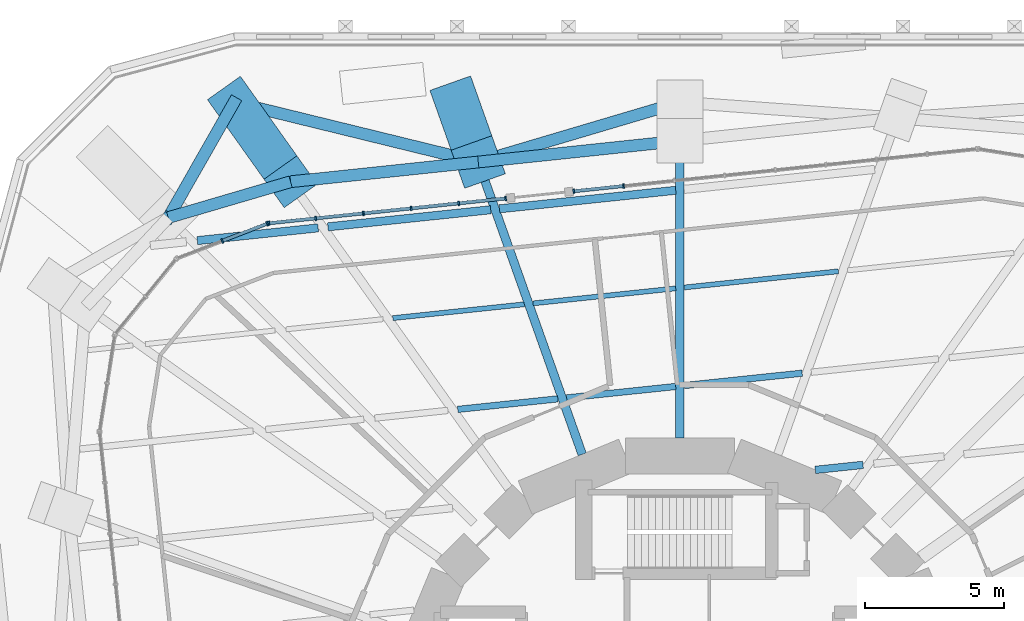
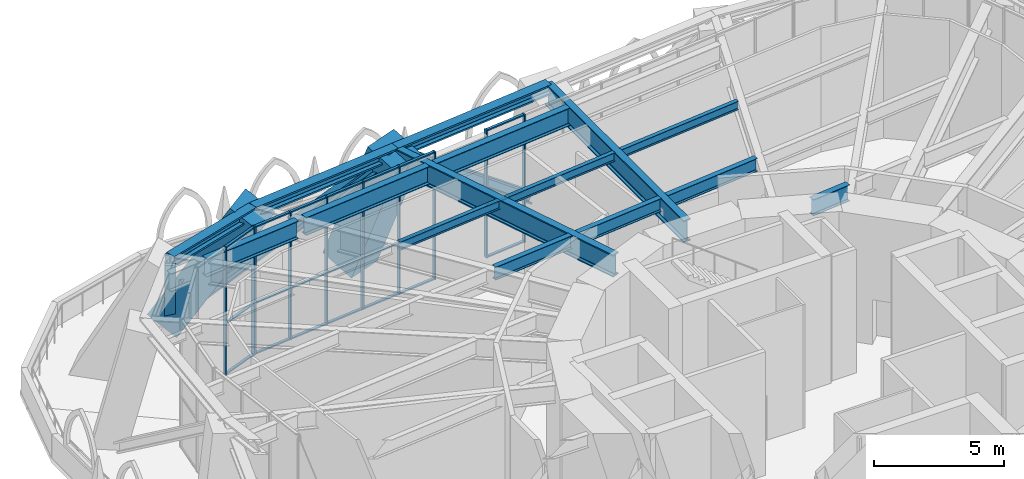
# One storey, part 9 of 20: 39 members, 12 beams, 3 elements without a shape of their own.
"""IFC4 building model written with IfcOpenShell, lengths in metres."""

from ifc_helpers import new_model, si_unit, direction, frame, origin, origin_2d, place, context, subcontext, project, spatial, rectangle, i_section, extrude, material, material_profile, profile_set, type_object, element, aggregate, save


model = new_model("IFC4")

# Units and contexts
model_context = context("Model", 3, precision=1e-05, world=origin(), true_north=direction((0.0, 1.0)))
body_context = subcontext(model_context, "Body", "Model", "MODEL_VIEW")
ifc_project = project(units=[si_unit("LENGTHUNIT", "METRE"), si_unit("AREAUNIT", "SQUARE_METRE"), si_unit("VOLUMEUNIT", "CUBIC_METRE"), si_unit("PLANEANGLEUNIT", "RADIAN"), si_unit("MASSUNIT", "GRAM", prefix="KILO")], contexts=[model_context])

# Site, building, storey
site_placement = place(None, origin())
site = spatial("IfcSite", under=ifc_project, at=site_placement, CompositionType="ELEMENT")
building_placement = place(site_placement, origin())
building = spatial("IfcBuilding", under=site, at=building_placement, Name="Nakasero Lantern House", CompositionType="ELEMENT")
storey_placement = place(building_placement, frame((0.0, 0.0, 54.5)))
storey = spatial("IfcBuildingStorey", under=building, at=storey_placement, Name="L13", CompositionType="ELEMENT", Elevation=54.5)

# Members
ifc_material_1 = material(Name="Steel S355", Category="steel")
ifc_material_profile_1 = material_profile(ifc_material_1, i_section(OverallWidth=0.424072265625, OverallDepth=0.474609375, WebThickness=0.047607421875, FlangeThickness=0.076904296875, FilletRadius=0.01513671875, at=origin_2d()), Name="UC 356x406x634")
ifc_profile_set_1 = profile_set([ifc_material_profile_1], Name="Steel S355")
member_type_1 = type_object("IfcMemberType", Name="Belt truss chord UC 356x406x634", PredefinedType="CHORD", material=ifc_profile_set_1)
member_1_placement = place(storey_placement, frame((0.0, 21.11572265625, 5.562744140625), z_axis=(-0.994520883746, -0.104538087767, 0.0), x_axis=(0.104538087767, -0.994520883746, 0.0)))
element("IfcMember", 1, at=member_1_placement, inside=storey, type_object=member_type_1, Name="Belt truss top chord T1 B2-C09T", PredefinedType="CHORD", context=body_context, shape_type="SweptSolid", body=[
    extrude(i_section(OverallWidth=0.424072265625, OverallDepth=0.474609375, WebThickness=0.047607421875, FlangeThickness=0.076904296875, FilletRadius=0.01513671875, at=origin_2d()), origin(), (0.0, 0.0, 1.0), 7.277099609375),
])
member_2_placement = place(storey_placement, frame((-7.2373046875, 20.35498046875, 5.562744140625), z_axis=(-0.994522233155, -0.10452524939, 0.0), x_axis=(0.10452524939, -0.994522233155, 0.0)))
element("IfcMember", 2, at=member_2_placement, inside=storey, type_object=member_type_1, Name="Belt truss top chord T1 B2-C10T", PredefinedType="CHORD", context=body_context, shape_type="SweptSolid", body=[
    extrude(i_section(OverallWidth=0.424072265625, OverallDepth=0.474609375, WebThickness=0.047607421875, FlangeThickness=0.076904296875, FilletRadius=0.01513671875, at=origin_2d()), origin(), (0.0, 0.0, 1.0), 6.771240234375),
])
member_3_placement = place(storey_placement, frame((-13.971435546875, 19.647216796875, 5.562744140625), z_axis=(-0.959526865957, -0.28161710443, 0.0), x_axis=(0.28161710443, -0.959526865957, 0.0)))
element("IfcMember", 3, at=member_3_placement, inside=storey, type_object=member_type_1, Name="Belt truss top chord T1 B2-C11T", PredefinedType="CHORD", context=body_context, shape_type="SweptSolid", body=[
    extrude(i_section(OverallWidth=0.424072265625, OverallDepth=0.474609375, WebThickness=0.047607421875, FlangeThickness=0.076904296875, FilletRadius=0.01513671875, at=origin_2d()), origin(), (0.0, 0.0, 1.0), 4.572998046875),
])
ifc_material_2 = material(Name="Steel S355", Category="steel")
ifc_material_profile_2 = material_profile(ifc_material_2, i_section(OverallWidth=0.424072265625, OverallDepth=0.474609375, WebThickness=0.047607421875, FlangeThickness=0.076904296875, FilletRadius=0.01513671875, at=origin_2d()), Name="UC 356x406x634")
ifc_profile_set_2 = profile_set([ifc_material_profile_2], Name="Steel S355")
member_type_2 = type_object("IfcMemberType", Name="Belt truss diagonal UC 356x406x634", PredefinedType="BRACE", material=ifc_profile_set_2)
member_4_placement = place(storey_placement, frame((0.0, 22.5, -0.437255859375), z_axis=(-0.750555504749, -0.222452457992, 0.622238971958), x_axis=(0.284165413553, -0.958775269675, 0.0)))
element("IfcMember", 4, at=member_4_placement, inside=storey, type_object=member_type_2, Name="Belt truss diagonal T1-09", PredefinedType="BRACE", context=body_context, shape_type="SweptSolid", body=[
    extrude(i_section(OverallWidth=0.424072265625, OverallDepth=0.474609375, WebThickness=0.047607421875, FlangeThickness=0.076904296875, FilletRadius=0.01513671875, at=origin_2d()), origin(), (0.0, 0.0, 1.0), 9.642578125),
])
member_5_placement = place(storey_placement, frame((-7.2373046875, 20.35498046875, 5.562744140625), z_axis=(-0.808778641842, 0.197980863346, -0.553787582244), x_axis=(-0.237769729952, -0.971321551042, 0.0)))
element("IfcMember", 5, at=member_5_placement, inside=storey, type_object=member_type_2, Name="Belt truss diagonal T1-10", PredefinedType="BRACE", context=body_context, shape_type="SweptSolid", body=[
    extrude(i_section(OverallWidth=0.424072265625, OverallDepth=0.474609375, WebThickness=0.047607421875, FlangeThickness=0.076904296875, FilletRadius=0.01513671875, at=origin_2d()), origin(), (0.0, 0.0, 1.0), 10.83447265625),
])
member_6_placement = place(storey_placement, frame((-16.0, 22.5, -0.437255859375), z_axis=(-0.307918412983, -0.540386618811, 0.783050798579), x_axis=(0.86884778906, -0.495079306219, 0.0)))
element("IfcMember", 6, at=member_6_placement, inside=storey, type_object=member_type_2, Name="Belt truss diagonal T1-11", PredefinedType="BRACE", context=body_context, shape_type="SweptSolid", body=[
    extrude(i_section(OverallWidth=0.424072265625, OverallDepth=0.474609375, WebThickness=0.047607421875, FlangeThickness=0.076904296875, FilletRadius=0.01513671875, at=origin_2d()), origin(), (0.0, 0.0, 1.0), 7.662353515625),
])

# Beams
ifc_material_3 = material(Name="Steel S355", Category="steel")
ifc_material_profile_3 = material_profile(ifc_material_3, i_section(OverallWidth=0.177978515625, OverallDepth=0.406494140625, WebThickness=0.0078125, FlangeThickness=0.0126953125, FilletRadius=0.01025390625, at=origin_2d()), Name="UB 406x178x60")
ifc_profile_set_3 = profile_set([ifc_material_profile_3], Name="Steel S355")
beam_type_1 = type_object("IfcBeamType", Name="Infill beam UB 406x178x60", PredefinedType="JOIST", material=ifc_profile_set_3)
beam_1_placement = place(storey_placement, frame((-10.302490234375, 14.75390625, 5.5966796875), z_axis=(0.994519828657, 0.104548124845, 0.0), x_axis=(-0.104548124845, 0.994519828657, 0.0)))
element("IfcBeam", 7, at=beam_1_placement, inside=storey, type_object=beam_type_1, Name="Infill beam L14 12.4", PredefinedType="JOIST", context=body_context, shape_type="SweptSolid", body=[
    extrude(i_section(OverallWidth=0.177978515625, OverallDepth=0.406494140625, WebThickness=0.0078125, FlangeThickness=0.0126953125, FilletRadius=0.01025390625, at=origin_2d()), origin(), (0.0, 0.0, 1.0), 4.74267578125),
])
beam_2_placement = place(storey_placement, frame((-5.270263671875, 15.28271484375, 5.5966796875), z_axis=(0.994517924238, 0.104566239148, 0.0), x_axis=(-0.104566239148, 0.994517924238, 0.0)))
element("IfcBeam", 8, at=beam_2_placement, inside=storey, type_object=beam_type_1, Name="Infill beam L14 12.5", PredefinedType="JOIST", context=body_context, shape_type="SweptSolid", body=[
    extrude(i_section(OverallWidth=0.177978515625, OverallDepth=0.406494140625, WebThickness=0.0078125, FlangeThickness=0.0126953125, FilletRadius=0.01025390625, at=origin_2d()), origin(), (0.0, 0.0, 1.0), 5.14599609375),
])
beam_3_placement = place(storey_placement, frame((0.152587890625, 15.852783203125, 5.5966796875), z_axis=(0.994523477097, 0.104513413028, 0.0), x_axis=(-0.104513413028, 0.994523477097, 0.0)))
element("IfcBeam", 9, at=beam_3_placement, inside=storey, type_object=beam_type_1, Name="Infill beam L14 12.6", PredefinedType="JOIST", context=body_context, shape_type="SweptSolid", body=[
    extrude(i_section(OverallWidth=0.177978515625, OverallDepth=0.406494140625, WebThickness=0.0078125, FlangeThickness=0.0126953125, FilletRadius=0.01025390625, at=origin_2d()), origin(), (0.0, 0.0, 1.0), 5.56201171875),
])
ifc_material_4 = material(Name="Steel S355", Category="steel")
ifc_material_profile_4 = material_profile(ifc_material_4, i_section(OverallWidth=0.22900390625, OverallDepth=0.6123046875, WebThickness=0.011962890625, FlangeThickness=0.01953125, FilletRadius=0.0126953125, at=origin_2d()), Name="UB 610x229x125")
ifc_profile_set_4 = profile_set([ifc_material_profile_4], Name="Steel S355")
beam_type_2 = type_object("IfcBeamType", Name="Infill beam UB 610x229x125", PredefinedType="JOIST", material=ifc_profile_set_4)
beam_4_placement = place(storey_placement, frame((-7.973876953125, 11.4794921875, 5.493896484375), z_axis=(0.994524314747, 0.10450544185, 0.0), x_axis=(-0.10450544185, 0.994524314747, 0.0)))
element("IfcBeam", 10, at=beam_4_placement, inside=storey, type_object=beam_type_2, Name="Infill beam L14 11.4", PredefinedType="JOIST", context=body_context, shape_type="SweptSolid", body=[
    extrude(i_section(OverallWidth=0.22900390625, OverallDepth=0.6123046875, WebThickness=0.011962890625, FlangeThickness=0.01953125, FilletRadius=0.0126953125, at=origin_2d()), origin(), (0.0, 0.0, 1.0), 3.614013671875),
])
beam_5_placement = place(storey_placement, frame((-4.06396484375, 11.890380859375, 5.493896484375), z_axis=(0.99452108839, 0.104536140868, 0.0), x_axis=(-0.104536140868, 0.99452108839, 0.0)))
element("IfcBeam", 11, at=beam_5_placement, inside=storey, type_object=beam_type_2, Name="Infill beam L14 11.5", PredefinedType="JOIST", context=body_context, shape_type="SweptSolid", body=[
    extrude(i_section(OverallWidth=0.22900390625, OverallDepth=0.6123046875, WebThickness=0.011962890625, FlangeThickness=0.01953125, FilletRadius=0.0126953125, at=origin_2d()), origin(), (0.0, 0.0, 1.0), 3.932861328125),
])
beam_6_placement = place(storey_placement, frame((0.152587890625, 12.33349609375, 5.493896484375), z_axis=(0.994520533601, 0.104541418809, 0.0), x_axis=(-0.104541418809, 0.994520533601, 0.0)))
element("IfcBeam", 12, at=beam_6_placement, inside=storey, type_object=beam_type_2, Name="Infill beam L14 11.6", PredefinedType="JOIST", context=body_context, shape_type="SweptSolid", body=[
    extrude(i_section(OverallWidth=0.22900390625, OverallDepth=0.6123046875, WebThickness=0.011962890625, FlangeThickness=0.01953125, FilletRadius=0.0126953125, at=origin_2d()), origin(), (0.0, 0.0, 1.0), 4.2548828125),
])
ifc_material_5 = material(Name="Steel S355", Category="steel")
ifc_material_profile_5 = material_profile(ifc_material_5, i_section(OverallWidth=0.2666015625, OverallDepth=0.76220703125, WebThickness=0.014404296875, FlangeThickness=0.021484375, FilletRadius=0.0166015625, at=origin_2d()), Name="UB 762x267x173")
ifc_profile_set_5 = profile_set([ifc_material_profile_5], Name="Steel S355")
beam_type_3 = type_object("IfcBeamType", Name="Infill beam UB 762x267x173", PredefinedType="JOIST", material=ifc_profile_set_5)
beam_7_placement = place(storey_placement, frame((4.85498046875, 9.30859375, 5.4189453125), z_axis=(0.994529501552, 0.104456069922, 0.0), x_axis=(-0.104456069922, 0.994529501552, 0.0)))
element("IfcBeam", 13, at=beam_7_placement, inside=storey, type_object=beam_type_3, Name="Infill beam L14 10.4", PredefinedType="JOIST", context=body_context, shape_type="SweptSolid", body=[
    extrude(i_section(OverallWidth=0.2666015625, OverallDepth=0.76220703125, WebThickness=0.014404296875, FlangeThickness=0.021484375, FilletRadius=0.0166015625, at=origin_2d()), origin(), (0.0, 0.0, 1.0), 1.72265625),
])
ifc_material_6 = material(Name="Steel S355", Category="steel")
ifc_material_profile_6 = material_profile(ifc_material_6, i_section(OverallWidth=0.29248046875, OverallDepth=0.8408203125, WebThickness=0.0146484375, FlangeThickness=0.02685546875, FilletRadius=0.017822265625, at=origin_2d()), Name="UB 838x292x194")
ifc_profile_set_6 = profile_set([ifc_material_profile_6], Name="Steel S355")
beam_type_4 = type_object("IfcBeamType", Name="Infill beam UB 838x292x194", PredefinedType="JOIST", material=ifc_profile_set_6)
beam_8_placement = place(storey_placement, frame((-17.317626953125, 17.535888671875, 5.379638671875), z_axis=(0.994522015286, 0.104527322323, 0.0), x_axis=(-0.104527322323, 0.994522015286, 0.0)))
element("IfcBeam", 14, at=beam_8_placement, inside=storey, type_object=beam_type_4, Name="Infill beam L14 13.2", PredefinedType="JOIST", context=body_context, shape_type="SweptSolid", body=[
    extrude(i_section(OverallWidth=0.29248046875, OverallDepth=0.8408203125, WebThickness=0.0146484375, FlangeThickness=0.02685546875, FilletRadius=0.017822265625, at=origin_2d()), origin(), (0.0, 0.0, 1.0), 4.3583984375),
])
beam_9_placement = place(storey_placement, frame((-12.630859375, 18.028564453125, 5.379638671875), z_axis=(0.994524803827, 0.104500787423, 0.0), x_axis=(-0.104500787423, 0.994524803827, 0.0)))
element("IfcBeam", 15, at=beam_9_placement, inside=storey, type_object=beam_type_4, Name="Infill beam L14 13.3", PredefinedType="JOIST", context=body_context, shape_type="SweptSolid", body=[
    extrude(i_section(OverallWidth=0.29248046875, OverallDepth=0.8408203125, WebThickness=0.0146484375, FlangeThickness=0.02685546875, FilletRadius=0.017822265625, at=origin_2d()), origin(), (0.0, 0.0, 1.0), 5.87109375),
])
beam_10_placement = place(storey_placement, frame((-6.476318359375, 18.67529296875, 5.379638671875), z_axis=(0.994519539778, 0.104550872783, 0.0), x_axis=(-0.104550872783, 0.994519539778, 0.0)))
element("IfcBeam", 16, at=beam_10_placement, inside=storey, type_object=beam_type_4, Name="Infill beam L14 13.4", PredefinedType="JOIST", context=body_context, shape_type="SweptSolid", body=[
    extrude(i_section(OverallWidth=0.29248046875, OverallDepth=0.8408203125, WebThickness=0.0146484375, FlangeThickness=0.02685546875, FilletRadius=0.017822265625, at=origin_2d()), origin(), (0.0, 0.0, 1.0), 6.358642578125),
])

# Curtain wall, members
ifc_material_7 = material(Name="Aluminium 6063-T6 and glass", Category="aluminium")
curtain_wall_type = type_object("IfcCurtainWallType", Name="Sky lounge glazing CW-3", PredefinedType="USERDEFINED", material=ifc_material_7)
curtain_wall_1_placement = place(storey_placement, origin())
curtain_wall_1 = element("IfcCurtainWall", 17, at=curtain_wall_1_placement, inside=storey, type_object=curtain_wall_type, Name="Curtain wall CW-3 L13", ObjectType="STICK CURTAIN WALL", PredefinedType="USERDEFINED")
ifc_material_8 = material(Name="Aluminium 6063-T6", Category="aluminium")
ifc_material_profile_7 = material_profile(ifc_material_8, rectangle(XDim=0.06005859375, YDim=0.159912109375, at=origin_2d()), Name="CW-3 mullion 60x160")
ifc_profile_set_7 = profile_set([ifc_material_profile_7], Name="Aluminium 6063-T6")
member_type_3 = type_object("IfcMemberType", Name="Mullion CW-3", PredefinedType="MULLION", material=ifc_profile_set_7)
member_7_placement = place(storey_placement, frame((-2.023681640625, 19.494140625, 0.0), z_axis=(0.0, 0.0, 1.0), x_axis=(-0.994521895368, -0.104528463268, 0.0)))
member_7 = element("IfcMember", 18, at=member_7_placement, type_object=member_type_3, Name="CW-3 mullion 8", PredefinedType="MULLION", context=body_context, shape_type="SweptSolid", body=[
    extrude(rectangle(XDim=0.06005859375, YDim=0.159912109375, at=origin_2d()), origin(), (0.0, 0.0, 1.0), 6.0),
])
member_8_placement = place(storey_placement, frame((-3.808837890625, 19.306640625, 0.0), z_axis=(0.0, 0.0, 1.0), x_axis=(-0.994521895368, -0.104528463268, 0.0)))
member_8 = element("IfcMember", 19, at=member_8_placement, type_object=member_type_3, Name="CW-3 mullion 9", PredefinedType="MULLION", context=body_context, shape_type="SweptSolid", body=[
    extrude(rectangle(XDim=0.06005859375, YDim=0.159912109375, at=origin_2d()), origin(), (0.0, 0.0, 1.0), 6.0),
])

curtain_wall_2_placement = place(storey_placement, origin())
curtain_wall_2 = element("IfcCurtainWall", 20, at=curtain_wall_2_placement, inside=storey, type_object=curtain_wall_type, Name="Curtain wall CW-3 L13", ObjectType="STICK CURTAIN WALL", PredefinedType="USERDEFINED")
member_9_placement = place(storey_placement, frame((-6.25537109375, 19.049560546875, 0.0), z_axis=(0.0, 0.0, 1.0), x_axis=(-0.994521895368, -0.104528463268, 0.0)))
member_9 = element("IfcMember", 21, at=member_9_placement, type_object=member_type_3, Name="CW-3 mullion 1", PredefinedType="MULLION", context=body_context, shape_type="SweptSolid", body=[
    extrude(rectangle(XDim=0.06005859375, YDim=0.159912109375, at=origin_2d()), origin(), (0.0, 0.0, 1.0), 6.0),
])
member_10_placement = place(storey_placement, frame((-7.936279296875, 18.872802734375, 0.0), z_axis=(0.0, 0.0, 1.0), x_axis=(-0.994521895368, -0.104528463268, 0.0)))
member_10 = element("IfcMember", 22, at=member_10_placement, type_object=member_type_3, Name="CW-3 mullion 2", PredefinedType="MULLION", context=body_context, shape_type="SweptSolid", body=[
    extrude(rectangle(XDim=0.06005859375, YDim=0.159912109375, at=origin_2d()), origin(), (0.0, 0.0, 1.0), 6.0),
])
member_11_placement = place(storey_placement, frame((-9.646728515625, 18.693115234375, 0.0), z_axis=(0.0, 0.0, 1.0), x_axis=(-0.994521895368, -0.104528463268, 0.0)))
member_11 = element("IfcMember", 23, at=member_11_placement, type_object=member_type_3, Name="CW-3 mullion 3", PredefinedType="MULLION", context=body_context, shape_type="SweptSolid", body=[
    extrude(rectangle(XDim=0.06005859375, YDim=0.159912109375, at=origin_2d()), origin(), (0.0, 0.0, 1.0), 6.0),
])
member_12_placement = place(storey_placement, frame((-11.357421875, 18.51318359375, 0.0), z_axis=(0.0, 0.0, 1.0), x_axis=(-0.994521895368, -0.104528463268, 0.0)))
member_12 = element("IfcMember", 24, at=member_12_placement, type_object=member_type_3, Name="CW-3 mullion 4", PredefinedType="MULLION", context=body_context, shape_type="SweptSolid", body=[
    extrude(rectangle(XDim=0.06005859375, YDim=0.159912109375, at=origin_2d()), origin(), (0.0, 0.0, 1.0), 6.0),
])
member_13_placement = place(storey_placement, frame((-13.06787109375, 18.33349609375, 0.0), z_axis=(0.0, 0.0, 1.0), x_axis=(-0.994521895368, -0.104528463268, 0.0)))
member_13 = element("IfcMember", 25, at=member_13_placement, type_object=member_type_3, Name="CW-3 mullion 5", PredefinedType="MULLION", context=body_context, shape_type="SweptSolid", body=[
    extrude(rectangle(XDim=0.06005859375, YDim=0.159912109375, at=origin_2d()), origin(), (0.0, 0.0, 1.0), 6.0),
])
member_14_placement = place(storey_placement, frame((-14.748779296875, 18.15673828125, 0.0), z_axis=(0.0, 0.0, 1.0), x_axis=(-0.994521895368, -0.104528463268, 0.0)))
member_14 = element("IfcMember", 26, at=member_14_placement, type_object=member_type_3, Name="CW-3 mullion 6", PredefinedType="MULLION", context=body_context, shape_type="SweptSolid", body=[
    extrude(rectangle(XDim=0.06005859375, YDim=0.159912109375, at=origin_2d()), origin(), (0.0, 0.0, 1.0), 6.0),
])

curtain_wall_3_placement = place(storey_placement, origin())
curtain_wall_3 = element("IfcCurtainWall", 27, at=curtain_wall_3_placement, inside=storey, type_object=curtain_wall_type, Name="Curtain wall CW-3 L13", ObjectType="STICK CURTAIN WALL", PredefinedType="USERDEFINED")
member_15_placement = place(storey_placement, frame((-14.806640625, 18.142822265625, 0.0), z_axis=(0.0, 0.0, 1.0), x_axis=(-0.933580426497, -0.358367949545, 0.0)))
member_15 = element("IfcMember", 28, at=member_15_placement, type_object=member_type_3, Name="CW-3 mullion 1", PredefinedType="MULLION", context=body_context, shape_type="SweptSolid", body=[
    extrude(rectangle(XDim=0.06005859375, YDim=0.159912109375, at=origin_2d()), origin(), (0.0, 0.0, 1.0), 6.0),
])
member_16_placement = place(storey_placement, frame((-16.42138671875, 17.52294921875, 0.0), z_axis=(0.0, 0.0, 1.0), x_axis=(-0.933580426497, -0.358367949545, 0.0)))
member_16 = element("IfcMember", 29, at=member_16_placement, type_object=member_type_3, Name="CW-3 mullion 2", PredefinedType="MULLION", context=body_context, shape_type="SweptSolid", body=[
    extrude(rectangle(XDim=0.06005859375, YDim=0.159912109375, at=origin_2d()), origin(), (0.0, 0.0, 1.0), 6.0),
])

# Beams
ifc_material_9 = material(Name="Steel S355", Category="steel")
ifc_material_profile_8 = material_profile(ifc_material_9, i_section(OverallWidth=0.305419921875, OverallDepth=1.026123046875, WebThickness=0.02685546875, FlangeThickness=0.049072265625, FilletRadius=0.030029296875, at=origin_2d()), Name="UB 1016x305x437")
ifc_profile_set_8 = profile_set([ifc_material_profile_8], Name="Steel S355")
beam_type_5 = type_object("IfcBeamType", Name="Primary beam UB 1016x305x437, span 9 to 12 m", PredefinedType="BEAM", material=ifc_profile_set_8)
beam_11_placement = place(storey_placement, frame((0.0, 21.11572265625, 5.286865234375), z_axis=(0.0, -1.0, 0.0), x_axis=(1.0, 0.0, 0.0)))
element("IfcBeam", 30, at=beam_11_placement, inside=storey, type_object=beam_type_5, Name="Primary beam L14 B2-C09T", PredefinedType="BEAM", context=body_context, shape_type="SweptSolid", body=[
    extrude(i_section(OverallWidth=0.305419921875, OverallDepth=1.026123046875, WebThickness=0.02685546875, FlangeThickness=0.049072265625, FilletRadius=0.030029296875, at=origin_2d()), origin(), (0.0, 0.0, 1.0), 10.657958984375),
])
ifc_material_10 = material(Name="Steel S355", Category="steel")
ifc_material_profile_9 = material_profile(ifc_material_10, i_section(OverallWidth=0.30859375, OverallDepth=1.036376953125, WebThickness=0.030029296875, FlangeThickness=0.05419921875, FilletRadius=0.030029296875, at=origin_2d()), Name="UB 1016x305x487")
ifc_profile_set_9 = profile_set([ifc_material_profile_9], Name="Steel S355")
beam_type_6 = type_object("IfcBeamType", Name="Primary beam UB 1016x305x487, span 9 to 12 m", PredefinedType="BEAM", material=ifc_profile_set_9)
beam_12_placement = place(storey_placement, frame((-7.2373046875, 20.35498046875, 5.28173828125), z_axis=(0.335009234979, -0.942214844119, 0.0), x_axis=(0.942214844119, 0.335009234979, 0.0)))
element("IfcBeam", 31, at=beam_12_placement, inside=storey, type_object=beam_type_6, Name="Primary beam L14 B2-C10T", PredefinedType="BEAM", context=body_context, shape_type="SweptSolid", body=[
    extrude(i_section(OverallWidth=0.30859375, OverallDepth=1.036376953125, WebThickness=0.030029296875, FlangeThickness=0.05419921875, FilletRadius=0.030029296875, at=origin_2d()), origin(), (0.0, 0.0, 1.0), 11.1318359375),
])

# Members
ifc_material_11 = material(Name="Concrete C50/60", Category="concrete")
ifc_material_profile_10 = material_profile(ifc_material_11, rectangle(XDim=1.449951171875, YDim=1.449951171875, at=origin_2d()), Name="RC 1450x1450")
ifc_profile_set_10 = profile_set([ifc_material_profile_10], Name="Concrete C50/60")
member_type_4 = type_object("IfcMemberType", Name="Raking column RC 1450x1450 C50/60", PredefinedType="STRUT", material=ifc_profile_set_10)
member_17_placement = place(storey_placement, frame((-16.0, 22.5, -0.437255859375), z_axis=(0.292028101635, -0.410680992611, 0.863748059427), x_axis=(0.814966304231, 0.579508345901, 0.0)))
element("IfcMember", 32, at=member_17_placement, inside=storey, type_object=member_type_4, Name="Raking column B2-C11T L13", PredefinedType="STRUT", context=body_context, shape_type="SweptSolid", body=[
    extrude(rectangle(XDim=1.449951171875, YDim=1.449951171875, at=origin_2d()), origin(), (0.0, 0.0, 1.0), 6.946533203125),
])
ifc_material_12 = material(Name="Concrete C50/60", Category="concrete")
ifc_material_profile_11 = material_profile(ifc_material_12, rectangle(XDim=1.550048828125, YDim=1.550048828125, at=origin_2d()), Name="RC 1550x1550")
ifc_profile_set_11 = profile_set([ifc_material_profile_11], Name="Concrete C50/60")
member_type_5 = type_object("IfcMemberType", Name="Raking column RC 1550x1550 C50/60", PredefinedType="STRUT", material=ifc_profile_set_11)
member_18_placement = place(storey_placement, frame((-8.0, 22.5, -0.437255859375), z_axis=(0.118848327283, -0.334251409573, 0.934960464565), x_axis=(0.942211681312, 0.335018130255, 0.0)))
element("IfcMember", 33, at=member_18_placement, inside=storey, type_object=member_type_5, Name="Raking column B2-C10T L13", PredefinedType="STRUT", context=body_context, shape_type="SweptSolid", body=[
    extrude(rectangle(XDim=1.550048828125, YDim=1.550048828125, at=origin_2d()), origin(), (0.0, 0.0, 1.0), 6.41748046875),
])

# Member
ifc_material_13 = material(Name="Aluminium 6063-T6", Category="aluminium")
ifc_material_profile_12 = material_profile(ifc_material_13, rectangle(XDim=0.06005859375, YDim=0.1201171875, at=origin_2d()), Name="CW-3 transom 60x120")
ifc_profile_set_12 = profile_set([ifc_material_profile_12], Name="Aluminium 6063-T6")
member_type_6 = type_object("IfcMemberType", Name="Transom CW-3", PredefinedType="USERDEFINED", material=ifc_profile_set_12)
member_19_placement = place(storey_placement, frame((-2.0537109375, 19.4912109375, 0.030029296875), z_axis=(-0.994518553952, -0.104560249835, 0.0), x_axis=(0.0, 0.0, 1.0)))
member_19 = element("IfcMember", 34, at=member_19_placement, type_object=member_type_6, Name="CW-3 transom 8.1", ObjectType="TRANSOM", PredefinedType="USERDEFINED", context=body_context, shape_type="SweptSolid", body=[
    extrude(rectangle(XDim=0.06005859375, YDim=0.1201171875, at=origin_2d()), origin(), (0.0, 0.0, 1.0), 1.73486328125),
])

member_20_placement = place(storey_placement, frame((-2.0537109375, 19.4912109375, 2.39990234375), z_axis=(-0.994518553952, -0.104560249835, 0.0), x_axis=(0.0, 0.0, 1.0)))
member_20 = element("IfcMember", 35, at=member_20_placement, type_object=member_type_6, Name="CW-3 transom 8.2", ObjectType="TRANSOM", PredefinedType="USERDEFINED", context=body_context, shape_type="SweptSolid", body=[
    extrude(rectangle(XDim=0.06005859375, YDim=0.1201171875, at=origin_2d()), origin(), (0.0, 0.0, 1.0), 1.73486328125),
])

member_21_placement = place(storey_placement, frame((-2.0537109375, 19.4912109375, 5.969970703125), z_axis=(-0.994518553952, -0.104560249835, 0.0), x_axis=(0.0, 0.0, 1.0)))
member_21 = element("IfcMember", 36, at=member_21_placement, type_object=member_type_6, Name="CW-3 transom 8.3", ObjectType="TRANSOM", PredefinedType="USERDEFINED", context=body_context, shape_type="SweptSolid", body=[
    extrude(rectangle(XDim=0.06005859375, YDim=0.1201171875, at=origin_2d()), origin(), (0.0, 0.0, 1.0), 1.73486328125),
])

aggregate(curtain_wall_1, [member_7, member_8, member_19, member_20, member_21])

member_22_placement = place(storey_placement, frame((-6.285400390625, 19.04638671875, 0.030029296875), z_axis=(-0.994520215559, -0.104544444346, 0.0), x_axis=(0.0, 0.0, 1.0)))
member_22 = element("IfcMember", 37, at=member_22_placement, type_object=member_type_6, Name="CW-3 transom 1.1", ObjectType="TRANSOM", PredefinedType="USERDEFINED", context=body_context, shape_type="SweptSolid", body=[
    extrude(rectangle(XDim=0.06005859375, YDim=0.1201171875, at=origin_2d()), origin(), (0.0, 0.0, 1.0), 1.630126953125),
])

member_23_placement = place(storey_placement, frame((-6.285400390625, 19.04638671875, 2.39990234375), z_axis=(-0.994520215559, -0.104544444346, 0.0), x_axis=(0.0, 0.0, 1.0)))
member_23 = element("IfcMember", 38, at=member_23_placement, type_object=member_type_6, Name="CW-3 transom 1.2", ObjectType="TRANSOM", PredefinedType="USERDEFINED", context=body_context, shape_type="SweptSolid", body=[
    extrude(rectangle(XDim=0.06005859375, YDim=0.1201171875, at=origin_2d()), origin(), (0.0, 0.0, 1.0), 1.630126953125),
])

member_24_placement = place(storey_placement, frame((-6.285400390625, 19.04638671875, 5.969970703125), z_axis=(-0.994520215559, -0.104544444346, 0.0), x_axis=(0.0, 0.0, 1.0)))
member_24 = element("IfcMember", 39, at=member_24_placement, type_object=member_type_6, Name="CW-3 transom 1.3", ObjectType="TRANSOM", PredefinedType="USERDEFINED", context=body_context, shape_type="SweptSolid", body=[
    extrude(rectangle(XDim=0.06005859375, YDim=0.1201171875, at=origin_2d()), origin(), (0.0, 0.0, 1.0), 1.630126953125),
])

member_25_placement = place(storey_placement, frame((-7.966064453125, 18.86962890625, 0.030029296875), z_axis=(-0.99453281945, -0.104424475275, 0.0), x_axis=(0.0, 0.0, 1.0)))
member_25 = element("IfcMember", 40, at=member_25_placement, type_object=member_type_6, Name="CW-3 transom 2.1", ObjectType="TRANSOM", PredefinedType="USERDEFINED", context=body_context, shape_type="SweptSolid", body=[
    extrude(rectangle(XDim=0.06005859375, YDim=0.1201171875, at=origin_2d()), origin(), (0.0, 0.0, 1.0), 1.659912109375),
])

member_26_placement = place(storey_placement, frame((-7.966064453125, 18.86962890625, 2.39990234375), z_axis=(-0.99453281945, -0.104424475275, 0.0), x_axis=(0.0, 0.0, 1.0)))
member_26 = element("IfcMember", 41, at=member_26_placement, type_object=member_type_6, Name="CW-3 transom 2.2", ObjectType="TRANSOM", PredefinedType="USERDEFINED", context=body_context, shape_type="SweptSolid", body=[
    extrude(rectangle(XDim=0.06005859375, YDim=0.1201171875, at=origin_2d()), origin(), (0.0, 0.0, 1.0), 1.659912109375),
])

member_27_placement = place(storey_placement, frame((-7.966064453125, 18.86962890625, 5.969970703125), z_axis=(-0.99453281945, -0.104424475275, 0.0), x_axis=(0.0, 0.0, 1.0)))
member_27 = element("IfcMember", 42, at=member_27_placement, type_object=member_type_6, Name="CW-3 transom 2.3", ObjectType="TRANSOM", PredefinedType="USERDEFINED", context=body_context, shape_type="SweptSolid", body=[
    extrude(rectangle(XDim=0.06005859375, YDim=0.1201171875, at=origin_2d()), origin(), (0.0, 0.0, 1.0), 1.659912109375),
])

member_28_placement = place(storey_placement, frame((-9.6767578125, 18.68994140625, 0.030029296875), z_axis=(-0.994517534603, -0.104569944854, 0.0), x_axis=(0.0, 0.0, 1.0)))
member_28 = element("IfcMember", 43, at=member_28_placement, type_object=member_type_6, Name="CW-3 transom 3.1", ObjectType="TRANSOM", PredefinedType="USERDEFINED", context=body_context, shape_type="SweptSolid", body=[
    extrude(rectangle(XDim=0.06005859375, YDim=0.1201171875, at=origin_2d()), origin(), (0.0, 0.0, 1.0), 1.659912109375),
])

member_29_placement = place(storey_placement, frame((-9.6767578125, 18.68994140625, 2.39990234375), z_axis=(-0.994517534603, -0.104569944854, 0.0), x_axis=(0.0, 0.0, 1.0)))
member_29 = element("IfcMember", 44, at=member_29_placement, type_object=member_type_6, Name="CW-3 transom 3.2", ObjectType="TRANSOM", PredefinedType="USERDEFINED", context=body_context, shape_type="SweptSolid", body=[
    extrude(rectangle(XDim=0.06005859375, YDim=0.1201171875, at=origin_2d()), origin(), (0.0, 0.0, 1.0), 1.659912109375),
])

member_30_placement = place(storey_placement, frame((-9.6767578125, 18.68994140625, 5.969970703125), z_axis=(-0.994517534603, -0.104569944854, 0.0), x_axis=(0.0, 0.0, 1.0)))
member_30 = element("IfcMember", 45, at=member_30_placement, type_object=member_type_6, Name="CW-3 transom 3.3", ObjectType="TRANSOM", PredefinedType="USERDEFINED", context=body_context, shape_type="SweptSolid", body=[
    extrude(rectangle(XDim=0.06005859375, YDim=0.1201171875, at=origin_2d()), origin(), (0.0, 0.0, 1.0), 1.659912109375),
])

member_31_placement = place(storey_placement, frame((-11.38720703125, 18.510009765625, 0.030029296875), z_axis=(-0.99453281945, -0.104424475275, 0.0), x_axis=(0.0, 0.0, 1.0)))
member_31 = element("IfcMember", 46, at=member_31_placement, type_object=member_type_6, Name="CW-3 transom 4.1", ObjectType="TRANSOM", PredefinedType="USERDEFINED", context=body_context, shape_type="SweptSolid", body=[
    extrude(rectangle(XDim=0.06005859375, YDim=0.1201171875, at=origin_2d()), origin(), (0.0, 0.0, 1.0), 1.659912109375),
])

member_32_placement = place(storey_placement, frame((-11.38720703125, 18.510009765625, 2.39990234375), z_axis=(-0.99453281945, -0.104424475275, 0.0), x_axis=(0.0, 0.0, 1.0)))
member_32 = element("IfcMember", 47, at=member_32_placement, type_object=member_type_6, Name="CW-3 transom 4.2", ObjectType="TRANSOM", PredefinedType="USERDEFINED", context=body_context, shape_type="SweptSolid", body=[
    extrude(rectangle(XDim=0.06005859375, YDim=0.1201171875, at=origin_2d()), origin(), (0.0, 0.0, 1.0), 1.659912109375),
])

member_33_placement = place(storey_placement, frame((-11.38720703125, 18.510009765625, 5.969970703125), z_axis=(-0.99453281945, -0.104424475275, 0.0), x_axis=(0.0, 0.0, 1.0)))
member_33 = element("IfcMember", 48, at=member_33_placement, type_object=member_type_6, Name="CW-3 transom 4.3", ObjectType="TRANSOM", PredefinedType="USERDEFINED", context=body_context, shape_type="SweptSolid", body=[
    extrude(rectangle(XDim=0.06005859375, YDim=0.1201171875, at=origin_2d()), origin(), (0.0, 0.0, 1.0), 1.659912109375),
])

member_34_placement = place(storey_placement, frame((-13.097900390625, 18.330322265625, 0.030029296875), z_axis=(-0.994518578198, -0.104560019217, 0.0), x_axis=(0.0, 0.0, 1.0)))
member_34 = element("IfcMember", 49, at=member_34_placement, type_object=member_type_6, Name="CW-3 transom 5.1", ObjectType="TRANSOM", PredefinedType="USERDEFINED", context=body_context, shape_type="SweptSolid", body=[
    extrude(rectangle(XDim=0.06005859375, YDim=0.1201171875, at=origin_2d()), origin(), (0.0, 0.0, 1.0), 1.6298828125),
])

member_35_placement = place(storey_placement, frame((-13.097900390625, 18.330322265625, 2.39990234375), z_axis=(-0.994518578198, -0.104560019217, 0.0), x_axis=(0.0, 0.0, 1.0)))
member_35 = element("IfcMember", 50, at=member_35_placement, type_object=member_type_6, Name="CW-3 transom 5.2", ObjectType="TRANSOM", PredefinedType="USERDEFINED", context=body_context, shape_type="SweptSolid", body=[
    extrude(rectangle(XDim=0.06005859375, YDim=0.1201171875, at=origin_2d()), origin(), (0.0, 0.0, 1.0), 1.6298828125),
])

member_36_placement = place(storey_placement, frame((-13.097900390625, 18.330322265625, 5.969970703125), z_axis=(-0.994518578198, -0.104560019217, 0.0), x_axis=(0.0, 0.0, 1.0)))
member_36 = element("IfcMember", 51, at=member_36_placement, type_object=member_type_6, Name="CW-3 transom 5.3", ObjectType="TRANSOM", PredefinedType="USERDEFINED", context=body_context, shape_type="SweptSolid", body=[
    extrude(rectangle(XDim=0.06005859375, YDim=0.1201171875, at=origin_2d()), origin(), (0.0, 0.0, 1.0), 1.6298828125),
])

aggregate(curtain_wall_2, [member_9, member_10, member_11, member_12, member_13, member_14, member_22, member_23, member_24, member_25, member_26, member_27, member_28, member_29, member_30, member_31, member_32, member_33, member_34, member_35, member_36])

member_37_placement = place(storey_placement, frame((-14.83447265625, 18.132080078125, 0.030029296875), z_axis=(-0.933579050111, -0.358371535133, 0.0), x_axis=(0.0, 0.0, 1.0)))
member_37 = element("IfcMember", 52, at=member_37_placement, type_object=member_type_6, Name="CW-3 transom 1.1", ObjectType="TRANSOM", PredefinedType="USERDEFINED", context=body_context, shape_type="SweptSolid", body=[
    extrude(rectangle(XDim=0.06005859375, YDim=0.1201171875, at=origin_2d()), origin(), (0.0, 0.0, 1.0), 1.669677734375),
])

member_38_placement = place(storey_placement, frame((-14.83447265625, 18.132080078125, 2.39990234375), z_axis=(-0.933579050111, -0.358371535133, 0.0), x_axis=(0.0, 0.0, 1.0)))
member_38 = element("IfcMember", 53, at=member_38_placement, type_object=member_type_6, Name="CW-3 transom 1.2", ObjectType="TRANSOM", PredefinedType="USERDEFINED", context=body_context, shape_type="SweptSolid", body=[
    extrude(rectangle(XDim=0.06005859375, YDim=0.1201171875, at=origin_2d()), origin(), (0.0, 0.0, 1.0), 1.669677734375),
])

member_39_placement = place(storey_placement, frame((-14.83447265625, 18.132080078125, 5.969970703125), z_axis=(-0.933579050111, -0.358371535133, 0.0), x_axis=(0.0, 0.0, 1.0)))
member_39 = element("IfcMember", 54, at=member_39_placement, type_object=member_type_6, Name="CW-3 transom 1.3", ObjectType="TRANSOM", PredefinedType="USERDEFINED", context=body_context, shape_type="SweptSolid", body=[
    extrude(rectangle(XDim=0.06005859375, YDim=0.1201171875, at=origin_2d()), origin(), (0.0, 0.0, 1.0), 1.669677734375),
])

aggregate(curtain_wall_3, [member_15, member_16, member_37, member_38, member_39])

save(model, "model.ifc")
